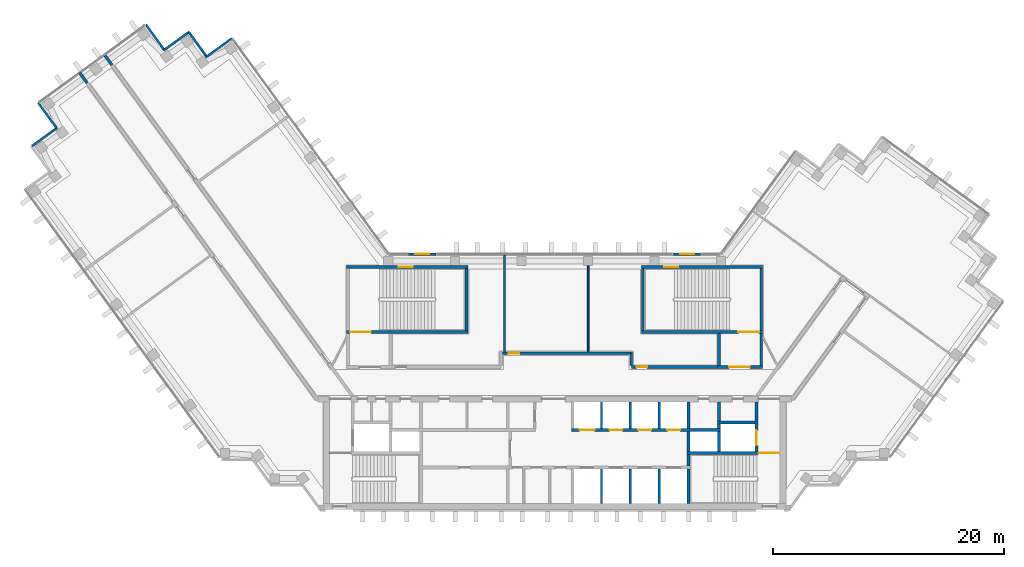
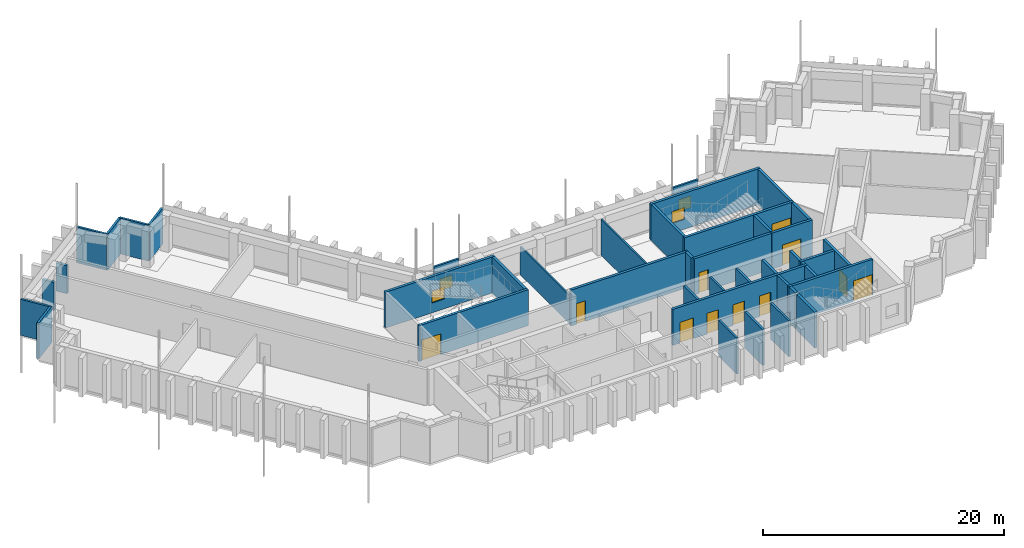
# One storey, part 9 of 12: 42 walls, 11 doors, 4 windows, 15 openings.
"""IFC4 building model written with IfcOpenShell, lengths in metres."""

from ifc_helpers import new_model, si_unit, direction, frame, frame_2d, origin, place, context, subcontext, project, spatial, rectangle, extrude, material, layer, layer_set, type_object, element, fill, save


model = new_model("IFC4")

# Units and contexts
model_context = context("Model", 3, precision=1e-05, world=origin(), true_north=direction((0.0, 1.0)))
body_context = subcontext(model_context, "Body", "Model", "MODEL_VIEW")
ifc_project = project(units=[si_unit("LENGTHUNIT", "METRE"), si_unit("AREAUNIT", "SQUARE_METRE"), si_unit("VOLUMEUNIT", "CUBIC_METRE"), si_unit("PLANEANGLEUNIT", "RADIAN"), si_unit("MASSUNIT", "GRAM", prefix="KILO")], contexts=[model_context])

# Site, building, storey
site_placement = place(None, origin())
site = spatial("IfcSite", under=ifc_project, at=site_placement, CompositionType="ELEMENT")
building_placement = place(site_placement, origin())
building = spatial("IfcBuilding", under=site, at=building_placement, Name="Quipu Civic Tower", CompositionType="ELEMENT")
storey_placement = place(building_placement, frame((0.0, 0.0, 234.0)))
storey = spatial("IfcBuildingStorey", under=building, at=storey_placement, Name="L55", CompositionType="ELEMENT", Elevation=234.0)

# Walls
ifc_material_1 = material(Name="Double gypsum plasterboard with mineral wool")
ifc_layer_1 = layer(ifc_material_1, 0.14990234375)
ifc_layer_set_1 = layer_set([ifc_layer_1], Name="Double gypsum plasterboard with mineral wool")
wall_type_1 = type_object("IfcWallType", Name="Acoustic partition 150 plasterboard", PredefinedType="PARTITIONING", material=ifc_layer_set_1)
wall_1_placement = place(storey_placement, frame((-4.339111328125, 2.64990234375, 0.0), z_axis=(0.0, 0.0, 1.0), x_axis=(0.0, 1.0, 0.0)))
element("IfcWall", 1, at=wall_1_placement, inside=storey, type_object=wall_type_1, Name="Partition P03", PredefinedType="PARTITIONING", context=body_context, shape_type="SweptSolid", body=[
    extrude(rectangle(XDim=8.35009765625, YDim=0.14990234375, at=frame_2d((4.175048828125, 0.0))), origin(), (0.0, 0.0, 1.0), 2.85009765625),
])
wall_2_placement = place(storey_placement, frame((2.89892578125, 10.094970703125, 0.0), z_axis=(0.0, 0.0, 1.0), x_axis=(0.0, -1.0, 0.0)))
element("IfcWall", 2, at=wall_2_placement, inside=storey, type_object=wall_type_1, Name="Partition P04", PredefinedType="PARTITIONING", context=body_context, shape_type="SweptSolid", body=[
    extrude(rectangle(XDim=7.445068359375, YDim=0.14990234375, at=frame_2d((3.72265625, 0.0))), origin(), (0.0, 0.0, 1.0), 3.64990234375),
])
ifc_material_2 = material(Name="Concrete C70/85", Category="concrete")
ifc_layer_2 = layer(ifc_material_2, 0.25)
ifc_layer_set_2 = layer_set([ifc_layer_2], Name="Concrete C70/85")
wall_type_2 = type_object("IfcWallType", Name="Core wall 250", PredefinedType="SHEAR", material=ifc_layer_set_2)
wall_3_placement = place(storey_placement, frame((11.574951171875, -10.5, 0.0), z_axis=(0.0, 0.0, 1.0), x_axis=(0.0, 1.0, 0.0)))
element("IfcWall", 3, at=wall_3_placement, inside=storey, type_object=wall_type_2, Name="Core wall", PredefinedType="SHEAR", context=body_context, shape_type="SweptSolid", body=[
    extrude(rectangle(XDim=3.0, YDim=0.25, at=frame_2d((1.5, 0.0))), origin(), (0.0, 0.0, 1.0), 3.64990234375),
])
wall_4_placement = place(storey_placement, frame((11.574951171875, -7.25, 0.0), z_axis=(0.0, 0.0, 1.0), x_axis=(0.0, 1.0, 0.0)))
element("IfcWall", 4, at=wall_4_placement, inside=storey, type_object=wall_type_2, Name="Core wall", PredefinedType="SHEAR", context=body_context, shape_type="SweptSolid", body=[
    extrude(rectangle(XDim=1.0, YDim=0.25, at=frame_2d((0.5, 0.0))), origin(), (0.0, 0.0, 1.0), 3.64990234375),
])

# Wall, opening, door
wall_5_placement = place(storey_placement, frame((19.5, -6.125, 0.0), z_axis=(0.0, 0.0, 1.0), x_axis=(-1.0, 0.0, 0.0)))
wall_5 = element("IfcWall", 5, at=wall_5_placement, inside=storey, type_object=wall_type_2, Name="Core wall", PredefinedType="SHEAR", context=body_context, shape_type="SweptSolid", body=[
    extrude(rectangle(XDim=8.050048828125, YDim=0.25, at=frame_2d((4.02490234375, 0.0))), origin(), (0.0, 0.0, 1.0), 3.64990234375),
])
opening_1_placement = place(wall_5_placement, frame((0.050048828125, 0.0, 0.0)))
opening_1 = element("IfcOpeningElement", 6, at=opening_1_placement, cuts=wall_5, Name="Opening CD-06", PredefinedType="OPENING", context=body_context, shape_type="SweptSolid", body=[
    extrude(rectangle(XDim=1.800048828125, YDim=2.10009765625, at=frame_2d((0.89990234375, 1.050048828125))), frame((0.0, 0.135009765625, 0.0), z_axis=(0.0, -1.0, 0.0), x_axis=(1.0, 0.0, 0.0)), (0.0, 0.0, 1.0), 0.27001953125),
])
ifc_material_3 = material(Name="Fire rated steel door", Category="steel")
door_type_1 = type_object("IfcDoorType", Name="Fire door FD90 double 1800 x 2100", OperationType="NOTDEFINED", PredefinedType="DOOR", material=ifc_material_3)
door_1_placement = place(opening_1_placement, origin())
door_1 = element("IfcDoor", 7, at=door_1_placement, inside=storey, type_object=door_type_1, Name="Door", OperationType="DOUBLE_DOOR_SINGLE_SWING", OverallHeight=2.10009765625, OverallWidth=1.800048828125, PredefinedType="DOOR", context=body_context, shape_type="SweptSolid", body=[
    extrude(rectangle(XDim=1.800048828125, YDim=2.10009765625, at=frame_2d((0.89990234375, 1.050048828125))), frame((0.0, 0.02490234375, 0.0), z_axis=(0.0, -1.0, 0.0), x_axis=(1.0, 0.0, 0.0)), (0.0, 0.0, 1.0), 0.050048828125),
])
fill(opening_1, door_1)

# Walls
for number, where, z_axis, x_axis, name in (
    (8, (11.574951171875, -6.0, 0.0), (0.0, 0.0, 1.0), (0.0, 1.0, 0.0), "Core wall"),
    (9, (14.22509765625, -6.0, 0.0), (0.0, 0.0, 1.0), (0.0, 1.0, 0.0), "Core wall"),
):
    element("IfcWall", number, at=place(storey_placement, frame(where, z_axis=z_axis, x_axis=x_axis)), inside=storey, type_object=wall_type_2, Name=name, PredefinedType="SHEAR", context=body_context, shape_type="SweptSolid", body=[
        extrude(rectangle(XDim=1.75, YDim=0.25, at=frame_2d((0.875, 0.0))), origin(), (0.0, 0.0, 1.0), 3.64990234375),
    ])

# Wall, opening, door
wall_6_placement = place(storey_placement, frame((17.47509765625, -6.0, 0.0), z_axis=(0.0, 0.0, 1.0), x_axis=(0.0, 1.0, 0.0)))
wall_6 = element("IfcWall", 10, at=wall_6_placement, inside=storey, type_object=wall_type_2, Name="Core wall", PredefinedType="SHEAR", context=body_context, shape_type="SweptSolid", body=[
    extrude(rectangle(XDim=4.300048828125, YDim=0.25, at=frame_2d((2.14990234375, 0.0))), origin(), (0.0, 0.0, 1.0), 3.64990234375),
])
opening_2_placement = place(wall_6_placement, frame((0.550048828125, 0.0, 0.0)))
opening_2 = element("IfcOpeningElement", 11, at=opening_2_placement, cuts=wall_6, Name="Opening LD-FF2", PredefinedType="OPENING", context=body_context, shape_type="SweptSolid", body=[
    extrude(rectangle(XDim=1.300048828125, YDim=2.10009765625, at=frame_2d((0.64990234375, 1.050048828125))), frame((0.0, 0.135009765625, 0.0), z_axis=(0.0, -1.0, 0.0), x_axis=(1.0, 0.0, 0.0)), (0.0, 0.0, 1.0), 0.27001953125),
])
ifc_material_4 = material(Name="Stainless steel", Category="steel")
door_type_2 = type_object("IfcDoorType", Name="Lift landing door 1300 x 2100", OperationType="DOUBLE_DOOR_SLIDING", PredefinedType="DOOR", material=ifc_material_4)
door_2_placement = place(opening_2_placement, origin())
door_2 = element("IfcDoor", 12, at=door_2_placement, inside=storey, type_object=door_type_2, Name="Landing door FF2", OperationType="DOUBLE_DOOR_SLIDING", OverallHeight=2.10009765625, OverallWidth=1.300048828125, PredefinedType="DOOR", context=body_context, shape_type="SweptSolid", body=[
    extrude(rectangle(XDim=1.300048828125, YDim=2.10009765625, at=frame_2d((0.64990234375, 1.050048828125))), frame((0.0, 0.02490234375, 0.0), z_axis=(0.0, -1.0, 0.0), x_axis=(1.0, 0.0, 0.0)), (0.0, 0.0, 1.0), 0.050048828125),
])
fill(opening_2, door_2)

# Wall, openings, doors
wall_7_placement = place(storey_placement, frame((1.449951171875, -4.125, 0.0), z_axis=(0.0, 0.0, 1.0), x_axis=(1.0, 0.0, 0.0)))
wall_7 = element("IfcWall", 13, at=wall_7_placement, inside=storey, type_object=wall_type_2, Name="Core wall", PredefinedType="SHEAR", context=body_context, shape_type="SweptSolid", body=[
    extrude(rectangle(XDim=12.900146484375, YDim=0.25, at=frame_2d((6.4501953125, 0.0))), origin(), (0.0, 0.0, 1.0), 3.64990234375),
])
opening_3_placement = place(wall_7_placement, frame((0.699951171875, 0.0, 0.0)))
opening_3 = element("IfcOpeningElement", 14, at=opening_3_placement, cuts=wall_7, Name="Opening LD-FF3", PredefinedType="OPENING", context=body_context, shape_type="SweptSolid", body=[
    extrude(rectangle(XDim=1.300048828125, YDim=2.10009765625, at=frame_2d((0.64990234375, 1.050048828125))), frame((0.0, 0.135009765625, 0.0), z_axis=(0.0, -1.0, 0.0), x_axis=(1.0, 0.0, 0.0)), (0.0, 0.0, 1.0), 0.27001953125),
])
opening_4_placement = place(wall_7_placement, frame((3.300048828125, 0.0, 0.0)))
opening_4 = element("IfcOpeningElement", 15, at=opening_4_placement, cuts=wall_7, Name="Opening LD-ML5", PredefinedType="OPENING", context=body_context, shape_type="SweptSolid", body=[
    extrude(rectangle(XDim=1.10009765625, YDim=2.10009765625, at=frame_2d((0.550048828125, 1.050048828125))), frame((0.0, 0.135009765625, 0.0), z_axis=(0.0, -1.0, 0.0), x_axis=(1.0, 0.0, 0.0)), (0.0, 0.0, 1.0), 0.27001953125),
])
opening_5_placement = place(wall_7_placement, frame((5.800048828125, 0.0, 0.0)))
opening_5 = element("IfcOpeningElement", 16, at=opening_5_placement, cuts=wall_7, Name="Opening LD-ML6", PredefinedType="OPENING", context=body_context, shape_type="SweptSolid", body=[
    extrude(rectangle(XDim=1.10009765625, YDim=2.10009765625, at=frame_2d((0.550048828125, 1.050048828125))), frame((0.0, 0.135009765625, 0.0), z_axis=(0.0, -1.0, 0.0), x_axis=(1.0, 0.0, 0.0)), (0.0, 0.0, 1.0), 0.27001953125),
])
opening_6_placement = place(wall_7_placement, frame((8.300048828125, 0.0, 0.0)))
opening_6 = element("IfcOpeningElement", 17, at=opening_6_placement, cuts=wall_7, Name="Opening LD-ML7", PredefinedType="OPENING", context=body_context, shape_type="SweptSolid", body=[
    extrude(rectangle(XDim=1.10009765625, YDim=2.10009765625, at=frame_2d((0.550048828125, 1.050048828125))), frame((0.0, 0.135009765625, 0.0), z_axis=(0.0, -1.0, 0.0), x_axis=(1.0, 0.0, 0.0)), (0.0, 0.0, 1.0), 0.27001953125),
])
ifc_material_5 = material(Name="Stainless steel", Category="steel")
door_type_3 = type_object("IfcDoorType", Name="Lift landing door 1100 x 2100", OperationType="DOUBLE_DOOR_SLIDING", PredefinedType="DOOR", material=ifc_material_5)
door_3_placement = place(opening_4_placement, origin())
door_3 = element("IfcDoor", 18, at=door_3_placement, inside=storey, type_object=door_type_3, Name="Landing door ML5", OperationType="DOUBLE_DOOR_SLIDING", OverallHeight=2.10009765625, OverallWidth=1.10009765625, PredefinedType="DOOR", context=body_context, shape_type="SweptSolid", body=[
    extrude(rectangle(XDim=1.10009765625, YDim=2.10009765625, at=frame_2d((0.550048828125, 1.050048828125))), frame((0.0, 0.02490234375, 0.0), z_axis=(0.0, -1.0, 0.0), x_axis=(1.0, 0.0, 0.0)), (0.0, 0.0, 1.0), 0.050048828125),
])
fill(opening_4, door_3)
door_4_placement = place(opening_5_placement, origin())
door_4 = element("IfcDoor", 19, at=door_4_placement, inside=storey, type_object=door_type_3, Name="Landing door ML6", OperationType="DOUBLE_DOOR_SLIDING", OverallHeight=2.10009765625, OverallWidth=1.10009765625, PredefinedType="DOOR", context=body_context, shape_type="SweptSolid", body=[
    extrude(rectangle(XDim=1.10009765625, YDim=2.10009765625, at=frame_2d((0.550048828125, 1.050048828125))), frame((0.0, 0.02490234375, 0.0), z_axis=(0.0, -1.0, 0.0), x_axis=(1.0, 0.0, 0.0)), (0.0, 0.0, 1.0), 0.050048828125),
])
fill(opening_5, door_4)
door_5_placement = place(opening_6_placement, origin())
door_5 = element("IfcDoor", 20, at=door_5_placement, inside=storey, type_object=door_type_3, Name="Landing door ML7", OperationType="DOUBLE_DOOR_SLIDING", OverallHeight=2.10009765625, OverallWidth=1.10009765625, PredefinedType="DOOR", context=body_context, shape_type="SweptSolid", body=[
    extrude(rectangle(XDim=1.10009765625, YDim=2.10009765625, at=frame_2d((0.550048828125, 1.050048828125))), frame((0.0, 0.02490234375, 0.0), z_axis=(0.0, -1.0, 0.0), x_axis=(1.0, 0.0, 0.0)), (0.0, 0.0, 1.0), 0.050048828125),
])
fill(opening_6, door_5)
door_6_placement = place(opening_3_placement, origin())
door_6 = element("IfcDoor", 21, at=door_6_placement, inside=storey, type_object=door_type_2, Name="Landing door FF3", OperationType="DOUBLE_DOOR_SLIDING", OverallHeight=2.10009765625, OverallWidth=1.300048828125, PredefinedType="DOOR", context=body_context, shape_type="SweptSolid", body=[
    extrude(rectangle(XDim=1.300048828125, YDim=2.10009765625, at=frame_2d((0.64990234375, 1.050048828125))), frame((0.0, 0.02490234375, 0.0), z_axis=(0.0, -1.0, 0.0), x_axis=(1.0, 0.0, 0.0)), (0.0, 0.0, 1.0), 0.050048828125),
])
fill(opening_3, door_6)

# Walls
wall_8_placement = place(storey_placement, frame((11.574951171875, -4.0, 0.0), z_axis=(0.0, 0.0, 1.0), x_axis=(0.0, 1.0, 0.0)))
element("IfcWall", 22, at=wall_8_placement, inside=storey, type_object=wall_type_2, Name="Core wall", PredefinedType="SHEAR", context=body_context, shape_type="SweptSolid", body=[
    extrude(rectangle(XDim=2.300048828125, YDim=0.25, at=frame_2d((1.14990234375, 0.0))), origin(), (0.0, 0.0, 1.0), 3.64990234375),
])
wall_9_placement = place(storey_placement, frame((14.22509765625, -4.0, 0.0), z_axis=(0.0, 0.0, 1.0), x_axis=(0.0, 1.0, 0.0)))
element("IfcWall", 23, at=wall_9_placement, inside=storey, type_object=wall_type_2, Name="Core wall", PredefinedType="SHEAR", context=body_context, shape_type="SweptSolid", body=[
    extrude(rectangle(XDim=0.39990234375, YDim=0.25, at=frame_2d((0.199951171875, 0.0))), origin(), (0.0, 0.0, 1.0), 3.64990234375),
])
wall_10_placement = place(storey_placement, frame((14.10009765625, -3.47509765625, 0.0), z_axis=(0.0, 0.0, 1.0), x_axis=(1.0, 0.0, 0.0)))
element("IfcWall", 24, at=wall_10_placement, inside=storey, type_object=wall_type_2, Name="Core wall", PredefinedType="SHEAR", context=body_context, shape_type="SweptSolid", body=[
    extrude(rectangle(XDim=3.25, YDim=0.25, at=frame_2d((1.625, 0.0))), origin(), (0.0, 0.0, 1.0), 3.64990234375),
])
wall_11_placement = place(storey_placement, frame((14.22509765625, -3.35009765625, 0.0), z_axis=(0.0, 0.0, 1.0), x_axis=(0.0, 1.0, 0.0)))
element("IfcWall", 25, at=wall_11_placement, inside=storey, type_object=wall_type_2, Name="Core wall", PredefinedType="SHEAR", context=body_context, shape_type="SweptSolid", body=[
    extrude(rectangle(XDim=1.650146484375, YDim=0.25, at=frame_2d((0.8251953125, 0.0))), origin(), (0.0, 0.0, 1.0), 3.64990234375),
])

# Wall, opening, door
wall_12_placement = place(storey_placement, frame((-18.0, 4.375, 0.0), z_axis=(0.0, 0.0, 1.0), x_axis=(1.0, 0.0, 0.0)))
wall_12 = element("IfcWall", 26, at=wall_12_placement, inside=storey, type_object=wall_type_2, Name="Core wall", PredefinedType="SHEAR", context=body_context, shape_type="SweptSolid", body=[
    extrude(rectangle(XDim=10.5, YDim=0.25, at=frame_2d((5.25, 0.0))), origin(), (0.0, 0.0, 1.0), 3.64990234375),
])
opening_7_placement = place(wall_12_placement, frame((0.300048828125, 0.0, 0.0)))
opening_7 = element("IfcOpeningElement", 27, at=opening_7_placement, cuts=wall_12, Name="Opening CD-20", PredefinedType="OPENING", context=body_context, shape_type="SweptSolid", body=[
    extrude(rectangle(XDim=1.800048828125, YDim=2.10009765625, at=frame_2d((0.89990234375, 1.050048828125))), frame((0.0, 0.135009765625, 0.0), z_axis=(0.0, -1.0, 0.0), x_axis=(1.0, 0.0, 0.0)), (0.0, 0.0, 1.0), 0.27001953125),
])
door_7_placement = place(opening_7_placement, origin())
door_7 = element("IfcDoor", 28, at=door_7_placement, inside=storey, type_object=door_type_1, Name="Door", OperationType="DOUBLE_DOOR_SINGLE_SWING", OverallHeight=2.10009765625, OverallWidth=1.800048828125, PredefinedType="DOOR", context=body_context, shape_type="SweptSolid", body=[
    extrude(rectangle(XDim=1.800048828125, YDim=2.10009765625, at=frame_2d((0.89990234375, 1.050048828125))), frame((0.0, 0.02490234375, 0.0), z_axis=(0.0, -1.0, 0.0), x_axis=(1.0, 0.0, 0.0)), (0.0, 0.0, 1.0), 0.050048828125),
])
fill(opening_7, door_7)

# Wall
wall_13_placement = place(storey_placement, frame((-7.625, 4.5, 0.0), z_axis=(0.0, 0.0, 1.0), x_axis=(0.0, 1.0, 0.0)))
element("IfcWall", 29, at=wall_13_placement, inside=storey, type_object=wall_type_2, Name="Core wall", PredefinedType="SHEAR", context=body_context, shape_type="SweptSolid", body=[
    extrude(rectangle(XDim=5.35009765625, YDim=0.25, at=frame_2d((2.675048828125, 0.0))), origin(), (0.0, 0.0, 1.0), 3.64990234375),
])

# Wall, opening, window
wall_14_placement = place(storey_placement, frame((-18.0, 9.97509765625, 0.0), z_axis=(0.0, 0.0, 1.0), x_axis=(1.0, 0.0, 0.0)))
wall_14 = element("IfcWall", 30, at=wall_14_placement, inside=storey, type_object=wall_type_2, Name="Core wall", PredefinedType="SHEAR", context=body_context, shape_type="SweptSolid", body=[
    extrude(rectangle(XDim=10.5, YDim=0.25, at=frame_2d((5.25, 0.0))), origin(), (0.0, 0.0, 1.0), 3.64990234375),
])
opening_8_placement = place(wall_14_placement, frame((4.5, 0.0, 1.0)))
opening_8 = element("IfcOpeningElement", 31, at=opening_8_placement, cuts=wall_14, Name="Opening SV-3", PredefinedType="OPENING", context=body_context, shape_type="SweptSolid", body=[
    extrude(rectangle(XDim=1.199951171875, YDim=1.199951171875, at=frame_2d((0.60009765625, 0.60009765625))), frame((0.0, 0.135009765625, 0.0), z_axis=(0.0, -1.0, 0.0), x_axis=(1.0, 0.0, 0.0)), (0.0, 0.0, 1.0), 0.27001953125),
])
ifc_material_6 = material(Name="Aluminium louvre", Category="aluminium")
window_type_1 = type_object("IfcWindowType", Name="Stair ventilation louvre 1200 x 1200", PartitioningType="SINGLE_PANEL", PredefinedType="WINDOW", material=ifc_material_6)
window_1_placement = place(opening_8_placement, origin())
window_1 = element("IfcWindow", 32, at=window_1_placement, inside=storey, type_object=window_type_1, Name="Stair ventilation opening", OverallHeight=1.199951171875, OverallWidth=1.199951171875, PartitioningType="SINGLE_PANEL", PredefinedType="WINDOW", context=body_context, shape_type="SweptSolid", body=[
    extrude(rectangle(XDim=1.199951171875, YDim=1.199951171875, at=frame_2d((0.60009765625, 0.60009765625))), frame((0.0, 0.030029296875, 0.0), z_axis=(0.0, -1.0, 0.0), x_axis=(1.0, 0.0, 0.0)), (0.0, 0.0, 1.0), 0.06005859375),
])
fill(opening_8, window_1)

# Wall, opening, door
wall_15_placement = place(storey_placement, frame((14.10009765625, 1.324951171875, 0.0), z_axis=(0.0, 0.0, 1.0), x_axis=(1.0, 0.0, 0.0)))
wall_15 = element("IfcWall", 33, at=wall_15_placement, inside=storey, type_object=wall_type_2, Name="Core wall", PredefinedType="SHEAR", context=body_context, shape_type="SweptSolid", body=[
    extrude(rectangle(XDim=3.89990234375, YDim=0.25, at=frame_2d((1.949951171875, 0.0))), origin(), (0.0, 0.0, 1.0), 3.64990234375),
])
opening_9_placement = place(wall_15_placement, frame((1.0, 0.0, 0.0)))
opening_9 = element("IfcOpeningElement", 34, at=opening_9_placement, cuts=wall_15, Name="Opening CD-21", PredefinedType="OPENING", context=body_context, shape_type="SweptSolid", body=[
    extrude(rectangle(XDim=1.800048828125, YDim=2.10009765625, at=frame_2d((0.89990234375, 1.050048828125))), frame((0.0, 0.135009765625, 0.0), z_axis=(0.0, -1.0, 0.0), x_axis=(1.0, 0.0, 0.0)), (0.0, 0.0, 1.0), 0.27001953125),
])
door_8_placement = place(opening_9_placement, origin())
door_8 = element("IfcDoor", 35, at=door_8_placement, inside=storey, type_object=door_type_1, Name="Lobby door", OperationType="DOUBLE_DOOR_SINGLE_SWING", OverallHeight=2.10009765625, OverallWidth=1.800048828125, PredefinedType="DOOR", context=body_context, shape_type="SweptSolid", body=[
    extrude(rectangle(XDim=1.800048828125, YDim=2.10009765625, at=frame_2d((0.89990234375, 1.050048828125))), frame((0.0, 0.02490234375, 0.0), z_axis=(0.0, -1.0, 0.0), x_axis=(1.0, 0.0, 0.0)), (0.0, 0.0, 1.0), 0.050048828125),
])
fill(opening_9, door_8)

# Walls
for number, where, z_axis, x_axis, name in (
    (36, (14.22509765625, 1.449951171875, 0.0), (0.0, 0.0, 1.0), (0.0, 1.0, 0.0), "Core wall"),
    (37, (17.875, 1.449951171875, 0.0), (0.0, 0.0, 1.0), (0.0, 1.0, 0.0), "Core wall"),
):
    element("IfcWall", number, at=place(storey_placement, frame(where, z_axis=z_axis, x_axis=x_axis)), inside=storey, type_object=wall_type_2, Name=name, PredefinedType="SHEAR", context=body_context, shape_type="SweptSolid", body=[
        extrude(rectangle(XDim=2.800048828125, YDim=0.25, at=frame_2d((1.39990234375, 0.0))), origin(), (0.0, 0.0, 1.0), 3.64990234375),
    ])

# Wall, opening, door
wall_16_placement = place(storey_placement, frame((7.5, 4.375, 0.0), z_axis=(0.0, 0.0, 1.0), x_axis=(1.0, 0.0, 0.0)))
wall_16 = element("IfcWall", 38, at=wall_16_placement, inside=storey, type_object=wall_type_2, Name="Core wall", PredefinedType="SHEAR", context=body_context, shape_type="SweptSolid", body=[
    extrude(rectangle(XDim=10.5, YDim=0.25, at=frame_2d((5.25, 0.0))), origin(), (0.0, 0.0, 1.0), 3.64990234375),
])
opening_10_placement = place(wall_16_placement, frame((8.39990234375, 0.0, 0.0)))
opening_10 = element("IfcOpeningElement", 39, at=opening_10_placement, cuts=wall_16, Name="Opening CD-22", PredefinedType="OPENING", context=body_context, shape_type="SweptSolid", body=[
    extrude(rectangle(XDim=1.800048828125, YDim=2.10009765625, at=frame_2d((0.89990234375, 1.050048828125))), frame((0.0, 0.135009765625, 0.0), z_axis=(0.0, -1.0, 0.0), x_axis=(1.0, 0.0, 0.0)), (0.0, 0.0, 1.0), 0.27001953125),
])
door_9_placement = place(opening_10_placement, origin())
door_9 = element("IfcDoor", 40, at=door_9_placement, inside=storey, type_object=door_type_1, Name="Door", OperationType="DOUBLE_DOOR_SINGLE_SWING", OverallHeight=2.10009765625, OverallWidth=1.800048828125, PredefinedType="DOOR", context=body_context, shape_type="SweptSolid", body=[
    extrude(rectangle(XDim=1.800048828125, YDim=2.10009765625, at=frame_2d((0.89990234375, 1.050048828125))), frame((0.0, 0.02490234375, 0.0), z_axis=(0.0, -1.0, 0.0), x_axis=(1.0, 0.0, 0.0)), (0.0, 0.0, 1.0), 0.050048828125),
])
fill(opening_10, door_9)

# Walls
for number, where, z_axis, x_axis, name in (
    (41, (7.625, 4.5, 0.0), (0.0, 0.0, 1.0), (0.0, 1.0, 0.0), "Core wall"),
    (42, (17.875, 4.5, 0.0), (0.0, 0.0, 1.0), (0.0, 1.0, 0.0), "Core wall"),
):
    element("IfcWall", number, at=place(storey_placement, frame(where, z_axis=z_axis, x_axis=x_axis)), inside=storey, type_object=wall_type_2, Name=name, PredefinedType="SHEAR", context=body_context, shape_type="SweptSolid", body=[
        extrude(rectangle(XDim=5.35009765625, YDim=0.25, at=frame_2d((2.675048828125, 0.0))), origin(), (0.0, 0.0, 1.0), 3.64990234375),
    ])

# Wall, opening, window
wall_17_placement = place(storey_placement, frame((7.5, 9.97509765625, 0.0), z_axis=(0.0, 0.0, 1.0), x_axis=(1.0, 0.0, 0.0)))
wall_17 = element("IfcWall", 43, at=wall_17_placement, inside=storey, type_object=wall_type_2, Name="Core wall", PredefinedType="SHEAR", context=body_context, shape_type="SweptSolid", body=[
    extrude(rectangle(XDim=10.5, YDim=0.25, at=frame_2d((5.25, 0.0))), origin(), (0.0, 0.0, 1.0), 3.64990234375),
])
opening_11_placement = place(wall_17_placement, frame((2.0, 0.0, 1.0)))
opening_11 = element("IfcOpeningElement", 44, at=opening_11_placement, cuts=wall_17, Name="Opening SV-4", PredefinedType="OPENING", context=body_context, shape_type="SweptSolid", body=[
    extrude(rectangle(XDim=1.199951171875, YDim=1.199951171875, at=frame_2d((0.60009765625, 0.60009765625))), frame((0.0, 0.135009765625, 0.0), z_axis=(0.0, -1.0, 0.0), x_axis=(1.0, 0.0, 0.0)), (0.0, 0.0, 1.0), 0.27001953125),
])
window_2_placement = place(opening_11_placement, origin())
window_2 = element("IfcWindow", 45, at=window_2_placement, inside=storey, type_object=window_type_1, Name="Stair ventilation opening", OverallHeight=1.199951171875, OverallWidth=1.199951171875, PartitioningType="SINGLE_PANEL", PredefinedType="WINDOW", context=body_context, shape_type="SweptSolid", body=[
    extrude(rectangle(XDim=1.199951171875, YDim=1.199951171875, at=frame_2d((0.60009765625, 0.60009765625))), frame((0.0, 0.030029296875, 0.0), z_axis=(0.0, -1.0, 0.0), x_axis=(1.0, 0.0, 0.0)), (0.0, 0.0, 1.0), 0.06005859375),
])
fill(opening_11, window_2)

# Wall, opening, door
ifc_material_7 = material(Name="Concrete C50/60", Category="concrete")
ifc_layer_3 = layer(ifc_material_7, 0.25)
ifc_layer_set_3 = layer_set([ifc_layer_3], Name="Concrete C50/60")
wall_type_3 = type_object("IfcWallType", Name="Corridor wall 250 concrete", PredefinedType="SOLIDWALL", material=ifc_layer_set_3)
wall_18_placement = place(storey_placement, frame((6.65869140625, 1.324951171875, 0.0), z_axis=(0.0, 0.0, 1.0), x_axis=(1.0, 0.0, 0.0)))
wall_18 = element("IfcWall", 46, at=wall_18_placement, inside=storey, type_object=wall_type_3, Name="Corridor wall C01", PredefinedType="SOLIDWALL", context=body_context, shape_type="SweptSolid", body=[
    extrude(rectangle(XDim=7.431396484375, YDim=0.25, at=frame_2d((3.7158203125, 0.0))), origin(), (0.0, 0.0, 1.0), 3.64990234375),
])
opening_12_placement = place(wall_18_placement, frame((0.44140625, 0.0, 0.0)))
opening_12 = element("IfcOpeningElement", 47, at=opening_12_placement, cuts=wall_18, Name="Opening D007", PredefinedType="OPENING", context=body_context, shape_type="SweptSolid", body=[
    extrude(rectangle(XDim=0.89990234375, YDim=2.10009765625, at=frame_2d((0.449951171875, 1.050048828125))), frame((0.0, 0.135009765625, 0.0), z_axis=(0.0, -1.0, 0.0), x_axis=(1.0, 0.0, 0.0)), (0.0, 0.0, 1.0), 0.27001953125),
])
ifc_material_8 = material(Name="Fire rated timber door set with metal frame", Category="wood")
door_type_4 = type_object("IfcDoorType", Name="Single door 900 x 2100 FD60", OperationType="NOTDEFINED", PredefinedType="DOOR", material=ifc_material_8)
door_10_placement = place(opening_12_placement, origin())
door_10 = element("IfcDoor", 48, at=door_10_placement, inside=storey, type_object=door_type_4, Name="Door D007", OperationType="SINGLE_SWING_LEFT", OverallHeight=2.10009765625, OverallWidth=0.89990234375, PredefinedType="DOOR", context=body_context, shape_type="SweptSolid", body=[
    extrude(rectangle(XDim=0.89990234375, YDim=2.10009765625, at=frame_2d((0.449951171875, 1.050048828125))), frame((0.0, 0.02490234375, 0.0), z_axis=(0.0, -1.0, 0.0), x_axis=(1.0, 0.0, 0.0)), (0.0, 0.0, 1.0), 0.050048828125),
])
fill(opening_12, door_10)

wall_19_placement = place(storey_placement, frame((-4.5, 2.52490234375, 0.0), z_axis=(0.0, 0.0, 1.0), x_axis=(1.0, 0.0, 0.0)))
wall_19 = element("IfcWall", 49, at=wall_19_placement, inside=storey, type_object=wall_type_3, Name="Corridor wall C09", PredefinedType="SOLIDWALL", context=body_context, shape_type="SweptSolid", body=[
    extrude(rectangle(XDim=11.25, YDim=0.25, at=frame_2d((5.625, 0.0))), origin(), (0.0, 0.0, 1.0), 3.64990234375),
])
opening_13_placement = place(wall_19_placement, frame((0.531005859375, 0.0, 0.0)))
opening_13 = element("IfcOpeningElement", 50, at=opening_13_placement, cuts=wall_19, Name="Opening D006", PredefinedType="OPENING", context=body_context, shape_type="SweptSolid", body=[
    extrude(rectangle(XDim=0.89990234375, YDim=2.10009765625, at=frame_2d((0.449951171875, 1.050048828125))), frame((0.0, 0.135009765625, 0.0), z_axis=(0.0, -1.0, 0.0), x_axis=(1.0, 0.0, 0.0)), (0.0, 0.0, 1.0), 0.27001953125),
])
door_11_placement = place(opening_13_placement, origin())
door_11 = element("IfcDoor", 51, at=door_11_placement, inside=storey, type_object=door_type_4, Name="Door D006", OperationType="SINGLE_SWING_LEFT", OverallHeight=2.10009765625, OverallWidth=0.89990234375, PredefinedType="DOOR", context=body_context, shape_type="SweptSolid", body=[
    extrude(rectangle(XDim=0.89990234375, YDim=2.10009765625, at=frame_2d((0.449951171875, 1.050048828125))), frame((0.0, 0.02490234375, 0.0), z_axis=(0.0, -1.0, 0.0), x_axis=(1.0, 0.0, 0.0)), (0.0, 0.0, 1.0), 0.050048828125),
])
fill(opening_13, door_11)

# Walls
wall_20_placement = place(storey_placement, frame((6.625, 2.483642578125, 0.0), z_axis=(0.0, 0.0, 1.0), x_axis=(0.0, -1.0, 0.0)))
element("IfcWall", 52, at=wall_20_placement, inside=storey, type_object=wall_type_3, Name="Corridor wall C10", PredefinedType="SOLIDWALL", context=body_context, shape_type="SweptSolid", body=[
    extrude(rectangle(XDim=1.030029296875, YDim=0.25, at=frame_2d((0.51513671875, 0.0))), origin(), (0.0, 0.0, 1.0), 3.64990234375),
])
wall_21_placement = place(storey_placement, frame((-40.46337890625, 25.911376953125, 0.0), z_axis=(0.0, 0.0, 1.0), x_axis=(-0.587792454268, 0.809011761785, 0.0)))
element("IfcWall", 53, at=wall_21_placement, inside=storey, type_object=wall_type_3, Name="Corridor wall C05", PredefinedType="SOLIDWALL", context=body_context, shape_type="SweptSolid", body=[
    extrude(rectangle(XDim=1.1103515625, YDim=0.25, at=frame_2d((0.55517578125, 0.0))), origin(), (0.0, 0.0, 1.0), 2.85009765625),
])
wall_22_placement = place(storey_placement, frame((-38.31982421875, 27.46923828125, 0.0), z_axis=(0.0, 0.0, 1.0), x_axis=(-0.587811913486, 0.808997623213, 0.0)))
element("IfcWall", 54, at=wall_22_placement, inside=storey, type_object=wall_type_3, Name="Corridor wall C06", PredefinedType="SOLIDWALL", context=body_context, shape_type="SweptSolid", body=[
    extrude(rectangle(XDim=1.0087890625, YDim=0.25, at=frame_2d((0.50439453125, 0.0))), origin(), (0.0, 0.0, 1.0), 2.85009765625),
])
ifc_material_9 = material(Name="Precast concrete C40/50", Category="concrete")
wall_type_4 = type_object("IfcWallType", Name="Precast cladding wall", PredefinedType="SOLIDWALL", material=ifc_material_9)
for number, where, z_axis, x_axis, name in (
    (55, (-27.92138671875, 29.787109375, 0.0), (0.0, 0.0, 1.0), (-0.809033161865, -0.587762999008, 0.0), "Precast cladding wall L55 P05"),
    (56, (-30.08349609375, 28.149169921875, 0.0), (0.0, 0.0, 1.0), (-0.587762999008, 0.809033161865, 0.0), "Precast cladding wall L55 P06"),
    (57, (-31.653564453125, 30.330810546875, 0.0), (0.0, 0.0, 1.0), (-0.809033161865, -0.587762999008, 0.0), "Precast cladding wall L55 P07"),
    (58, (-33.80078125, 28.785888671875, 0.0), (0.0, 0.0, 1.0), (-0.587762999008, 0.809033161865, 0.0), "Precast cladding wall L55 P08"),
    (59, (-44.699462890625, 24.20458984375, 0.0), (0.0, 0.0, 1.0), (0.587762999008, -0.809033161865, 0.0), "Precast cladding wall L55 P10"),
    (60, (-43.060791015625, 22.04296875, 0.0), (0.0, 0.0, 1.0), (-0.809033161865, -0.587762999008, 0.0), "Precast cladding wall L55 P11"),
):
    element("IfcWall", number, at=place(storey_placement, frame(where, z_axis=z_axis, x_axis=x_axis)), inside=storey, type_object=wall_type_4, Name=name, PredefinedType="SOLIDWALL", context=body_context, shape_type="SweptSolid", body=[
        extrude(rectangle(XDim=2.699951171875, YDim=0.199951171875, at=frame_2d((1.35009765625, 0.0))), origin(), (0.0, 0.0, 1.0), 3.64990234375),
    ])

# Wall, opening, window
wall_23_placement = place(storey_placement, frame((12.655029296875, 11.10009765625, 0.0), z_axis=(0.0, 0.0, 1.0), x_axis=(-1.0, 0.0, 0.0)))
wall_23 = element("IfcWall", 61, at=wall_23_placement, inside=storey, type_object=wall_type_4, Name="Vent surround SF-L54-2", PredefinedType="SOLIDWALL", context=body_context, shape_type="SweptSolid", body=[
    extrude(rectangle(XDim=2.3916015625, YDim=0.199951171875, at=frame_2d((1.19580078125, 0.0))), origin(), (0.0, 0.0, 1.0), 3.64990234375),
])
opening_14_placement = place(wall_23_placement, frame((0.595703125, 0.0, 1.0)))
opening_14 = element("IfcOpeningElement", 62, at=opening_14_placement, cuts=wall_23, Name="Opening SF-L54-2", PredefinedType="OPENING", context=body_context, shape_type="SweptSolid", body=[
    extrude(rectangle(XDim=1.199951171875, YDim=1.199951171875, at=frame_2d((0.60009765625, 0.60009765625))), frame((0.0, 0.10986328125, 0.0), z_axis=(0.0, -1.0, 0.0), x_axis=(1.0, 0.0, 0.0)), (0.0, 0.0, 1.0), 0.219970703125),
])
ifc_material_10 = material(Name="Anodised aluminium louvre", Category="aluminium")
window_type_2 = type_object("IfcWindowType", Name="Stair vent louvre window P3", PartitioningType="SINGLE_PANEL", PredefinedType="WINDOW", material=ifc_material_10)
window_3_placement = place(opening_14_placement, origin())
window_3 = element("IfcWindow", 63, at=window_3_placement, inside=storey, type_object=window_type_2, Name="Stair vent louvre SF-L54-2", OverallHeight=1.199951171875, OverallWidth=1.199951171875, PartitioningType="SINGLE_PANEL", PredefinedType="WINDOW", context=body_context, shape_type="SweptSolid", body=[
    extrude(rectangle(XDim=1.199951171875, YDim=1.199951171875, at=frame_2d((0.60009765625, 0.60009765625))), frame((0.0, 0.030029296875, 0.0), z_axis=(0.0, -1.0, 0.0), x_axis=(1.0, 0.0, 0.0)), (0.0, 0.0, 1.0), 0.06005859375),
])
fill(opening_14, window_3)

wall_24_placement = place(storey_placement, frame((-10.263427734375, 11.10009765625, 0.0), z_axis=(0.0, 0.0, 1.0), x_axis=(-1.0, 0.0, 0.0)))
wall_24 = element("IfcWall", 64, at=wall_24_placement, inside=storey, type_object=wall_type_4, Name="Vent surround SF-L54-1", PredefinedType="SOLIDWALL", context=body_context, shape_type="SweptSolid", body=[
    extrude(rectangle(XDim=2.3916015625, YDim=0.199951171875, at=frame_2d((1.19580078125, 0.0))), origin(), (0.0, 0.0, 1.0), 3.64990234375),
])
opening_15_placement = place(wall_24_placement, frame((0.595703125, 0.0, 1.0)))
opening_15 = element("IfcOpeningElement", 65, at=opening_15_placement, cuts=wall_24, Name="Opening SF-L54-1", PredefinedType="OPENING", context=body_context, shape_type="SweptSolid", body=[
    extrude(rectangle(XDim=1.199951171875, YDim=1.199951171875, at=frame_2d((0.60009765625, 0.60009765625))), frame((0.0, 0.10986328125, 0.0), z_axis=(0.0, -1.0, 0.0), x_axis=(1.0, 0.0, 0.0)), (0.0, 0.0, 1.0), 0.219970703125),
])
window_4_placement = place(opening_15_placement, origin())
window_4 = element("IfcWindow", 66, at=window_4_placement, inside=storey, type_object=window_type_2, Name="Stair vent louvre SF-L54-1", OverallHeight=1.199951171875, OverallWidth=1.199951171875, PartitioningType="SINGLE_PANEL", PredefinedType="WINDOW", context=body_context, shape_type="SweptSolid", body=[
    extrude(rectangle(XDim=1.199951171875, YDim=1.199951171875, at=frame_2d((0.60009765625, 0.60009765625))), frame((0.0, 0.030029296875, 0.0), z_axis=(0.0, -1.0, 0.0), x_axis=(1.0, 0.0, 0.0)), (0.0, 0.0, 1.0), 0.06005859375),
])
fill(opening_15, window_4)

# Walls
ifc_material_11 = material(Name="Concrete C40/50", Category="concrete")
ifc_layer_4 = layer(ifc_material_11, 0.199951171875)
ifc_layer_set_4 = layer_set([ifc_layer_4], Name="Concrete C40/50")
wall_type_5 = type_object("IfcWallType", Name="Shaft wall 200", PredefinedType="SOLIDWALL", material=ifc_layer_set_4)
for number, where, z_axis, x_axis, name in (
    (67, (4.050048828125, -10.5, 0.0), (0.0, 0.0, 1.0), (0.0, 1.0, 0.0), "Shaft wall"),
    (68, (6.550048828125, -10.5, 0.0), (0.0, 0.0, 1.0), (0.0, 1.0, 0.0), "Shaft wall"),
    (69, (9.050048828125, -10.5, 0.0), (0.0, 0.0, 1.0), (0.0, 1.0, 0.0), "Shaft wall"),
):
    element("IfcWall", number, at=place(storey_placement, frame(where, z_axis=z_axis, x_axis=x_axis)), inside=storey, type_object=wall_type_5, Name=name, PredefinedType="SOLIDWALL", context=body_context, shape_type="SweptSolid", body=[
        extrude(rectangle(XDim=3.0, YDim=0.199951171875, at=frame_2d((1.5, 0.0))), origin(), (0.0, 0.0, 1.0), 3.64990234375),
    ])
for number, where, z_axis, x_axis, name in (
    (70, (4.050048828125, -4.0, 0.0), (0.0, 0.0, 1.0), (0.0, 1.0, 0.0), "Shaft wall"),
    (71, (6.550048828125, -4.0, 0.0), (0.0, 0.0, 1.0), (0.0, 1.0, 0.0), "Shaft wall"),
    (72, (9.050048828125, -4.0, 0.0), (0.0, 0.0, 1.0), (0.0, 1.0, 0.0), "Shaft wall"),
):
    element("IfcWall", number, at=place(storey_placement, frame(where, z_axis=z_axis, x_axis=x_axis)), inside=storey, type_object=wall_type_5, Name=name, PredefinedType="SOLIDWALL", context=body_context, shape_type="SweptSolid", body=[
        extrude(rectangle(XDim=2.300048828125, YDim=0.199951171875, at=frame_2d((1.14990234375, 0.0))), origin(), (0.0, 0.0, 1.0), 3.64990234375),
    ])

save(model, "model.ifc")
